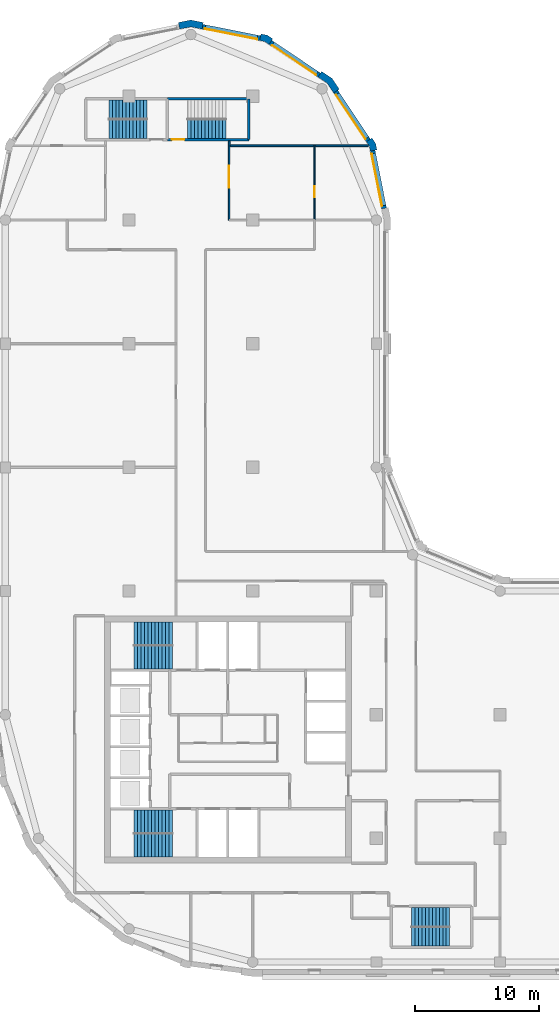
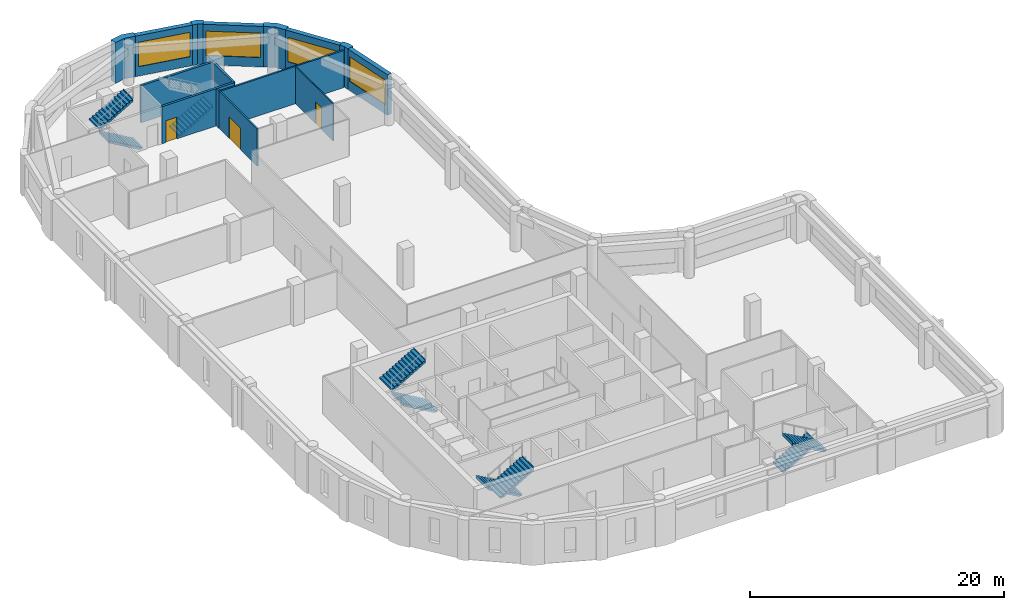
# One storey, part 6 of 9: 15 walls, 9 stair flights, 4 windows, 3 doors, 7 openings, 5 elements without a shape of their own.
"""IFC4 building model written with IfcOpenShell, lengths in metres."""

from ifc_helpers import new_model, si_unit, direction, frame, frame_2d, origin, place, context, subcontext, project, spatial, polyline, rectangle, outline, extrude, material, layer, layer_set, type_object, element, fill, aggregate, save


model = new_model("IFC4")

# Units and contexts
model_context = context("Model", 3, precision=1e-05, world=origin(), true_north=direction((0.0, 1.0)))
body_context = subcontext(model_context, "Body", "Model", "MODEL_VIEW")
ifc_project = project(units=[si_unit("LENGTHUNIT", "METRE"), si_unit("AREAUNIT", "SQUARE_METRE"), si_unit("VOLUMEUNIT", "CUBIC_METRE"), si_unit("PLANEANGLEUNIT", "RADIAN"), si_unit("MASSUNIT", "GRAM", prefix="KILO")], contexts=[model_context])

# Site, building, storey
site_placement = place(None, origin())
site = spatial("IfcSite", under=ifc_project, at=site_placement, CompositionType="ELEMENT")
building_placement = place(site_placement, origin())
building = spatial("IfcBuilding", under=site, at=building_placement, Name="Qaws Garden Tower", CompositionType="ELEMENT")
storey_placement = place(building_placement, frame((0.0, 0.0, 251.39990234375)))
storey = spatial("IfcBuildingStorey", under=building, at=storey_placement, Name="L60", CompositionType="ELEMENT", Elevation=251.39990234375)

# Wall, opening, window
ifc_material_1 = material(Name="Clay facing brick masonry", Category="masonry")
ifc_layer_1 = layer(ifc_material_1, 0.39990234375)
ifc_layer_set_1 = layer_set([ifc_layer_1], Name="Clay facing brick masonry")
wall_type_1 = type_object("IfcWallType", Name="Brick infill wall 400", PredefinedType="SOLIDWALL", material=ifc_layer_set_1)
wall_1_placement = place(storey_placement, frame((30.628662109375, 60.940673828125, 0.0), z_axis=(0.0, 0.0, 1.0), x_axis=(-0.195098533057, 0.98078364709, 0.0)))
wall_1 = element("IfcWall", 1, at=wall_1_placement, inside=storey, type_object=wall_type_1, Name="E-L60-infill-11", PredefinedType="SOLIDWALL", context=body_context, shape_type="SweptSolid", body=[
    extrude(rectangle(XDim=4.752685546875, YDim=0.39990234375, at=frame_2d((2.37646484375, 0.0))), origin(), (0.0, 0.0, 1.0), 3.900146484375),
])
opening_1_placement = place(wall_1_placement, frame((0.226318359375, 0.0, 0.89990234375)))
opening_1 = element("IfcOpeningElement", 2, at=opening_1_placement, cuts=wall_1, Name="Opening W06", PredefinedType="OPENING", context=body_context, shape_type="SweptSolid", body=[
    extrude(rectangle(XDim=4.300048828125, YDim=2.35009765625, at=frame_2d((2.14990234375, 1.175048828125))), frame((0.0, 0.2099609375, 0.0), z_axis=(0.0, -1.0, 0.0), x_axis=(1.0, 0.0, 0.0)), (0.0, 0.0, 1.0), 0.419921875),
])
ifc_material_2 = material(Name="Aluminium framed window, clear glazing", Category="aluminium")
window_type = type_object("IfcWindowType", Name="Ribbon window 4300 x 2350", PartitioningType="DOUBLE_PANEL_VERTICAL", PredefinedType="WINDOW", material=ifc_material_2)
window_1_placement = place(opening_1_placement, origin())
window_1 = element("IfcWindow", 3, at=window_1_placement, inside=storey, type_object=window_type, Name="E-L60-window-11-0", OverallHeight=2.35009765625, OverallWidth=4.300048828125, PartitioningType="SINGLE_PANEL", PredefinedType="WINDOW", context=body_context, shape_type="SweptSolid", body=[
    extrude(rectangle(XDim=4.300048828125, YDim=2.35009765625, at=frame_2d((2.14990234375, 1.175048828125))), frame((0.0, 0.159912109375, 0.0), z_axis=(0.0, -1.0, 0.0), x_axis=(1.0, 0.0, 0.0)), (0.0, 0.0, 1.0), 0.06005859375),
])
fill(opening_1, window_1)

wall_2_placement = place(storey_placement, frame((29.356689453125, 66.43408203125, 0.0), z_axis=(0.0, 0.0, 1.0), x_axis=(-0.555541552266, 0.831488775454, 0.0)))
wall_2 = element("IfcWall", 4, at=wall_2_placement, inside=storey, type_object=wall_type_1, Name="E-L60-infill-12", PredefinedType="SOLIDWALL", context=body_context, shape_type="SweptSolid", body=[
    extrude(rectangle(XDim=4.752685546875, YDim=0.39990234375, at=frame_2d((2.37646484375, 0.0))), origin(), (0.0, 0.0, 1.0), 3.900146484375),
])
opening_2_placement = place(wall_2_placement, frame((0.226318359375, 0.0, 0.89990234375)))
opening_2 = element("IfcOpeningElement", 5, at=opening_2_placement, cuts=wall_2, Name="Opening W06", PredefinedType="OPENING", context=body_context, shape_type="SweptSolid", body=[
    extrude(rectangle(XDim=4.300048828125, YDim=2.35009765625, at=frame_2d((2.14990234375, 1.175048828125))), frame((0.0, 0.2099609375, 0.0), z_axis=(0.0, -1.0, 0.0), x_axis=(1.0, 0.0, 0.0)), (0.0, 0.0, 1.0), 0.419921875),
])
window_2_placement = place(opening_2_placement, origin())
window_2 = element("IfcWindow", 6, at=window_2_placement, inside=storey, type_object=window_type, Name="E-L60-window-12-0", OverallHeight=2.35009765625, OverallWidth=4.300048828125, PartitioningType="SINGLE_PANEL", PredefinedType="WINDOW", context=body_context, shape_type="SweptSolid", body=[
    extrude(rectangle(XDim=4.300048828125, YDim=2.35009765625, at=frame_2d((2.14990234375, 1.175048828125))), frame((0.0, 0.159912109375, 0.0), z_axis=(0.0, -1.0, 0.0), x_axis=(1.0, 0.0, 0.0)), (0.0, 0.0, 1.0), 0.06005859375),
])
fill(opening_2, window_2)

wall_3_placement = place(storey_placement, frame((25.385986328125, 71.71630859375, 0.0), z_axis=(0.0, 0.0, 1.0), x_axis=(-0.831488775454, 0.555541552266, 0.0)))
wall_3 = element("IfcWall", 7, at=wall_3_placement, inside=storey, type_object=wall_type_1, Name="E-L60-infill-13", PredefinedType="SOLIDWALL", context=body_context, shape_type="SweptSolid", body=[
    extrude(rectangle(XDim=4.752685546875, YDim=0.39990234375, at=frame_2d((2.37646484375, 0.0))), origin(), (0.0, 0.0, 1.0), 3.900146484375),
])
opening_3_placement = place(wall_3_placement, frame((0.226318359375, 0.0, 0.89990234375)))
opening_3 = element("IfcOpeningElement", 8, at=opening_3_placement, cuts=wall_3, Name="Opening W06", PredefinedType="OPENING", context=body_context, shape_type="SweptSolid", body=[
    extrude(rectangle(XDim=4.300048828125, YDim=2.35009765625, at=frame_2d((2.14990234375, 1.175048828125))), frame((0.0, 0.2099609375, 0.0), z_axis=(0.0, -1.0, 0.0), x_axis=(1.0, 0.0, 0.0)), (0.0, 0.0, 1.0), 0.419921875),
])
window_3_placement = place(opening_3_placement, origin())
window_3 = element("IfcWindow", 9, at=window_3_placement, inside=storey, type_object=window_type, Name="E-L60-window-13-0", OverallHeight=2.35009765625, OverallWidth=4.300048828125, PartitioningType="SINGLE_PANEL", PredefinedType="WINDOW", context=body_context, shape_type="SweptSolid", body=[
    extrude(rectangle(XDim=4.300048828125, YDim=2.35009765625, at=frame_2d((2.14990234375, 1.175048828125))), frame((0.0, 0.159912109375, 0.0), z_axis=(0.0, -1.0, 0.0), x_axis=(1.0, 0.0, 0.0)), (0.0, 0.0, 1.0), 0.06005859375),
])
fill(opening_3, window_3)

wall_4_placement = place(storey_placement, frame((20.60205078125, 74.701416015625, 0.0), z_axis=(0.0, 0.0, 1.0), x_axis=(-0.98078364709, 0.195098533057, 0.0)))
wall_4 = element("IfcWall", 10, at=wall_4_placement, inside=storey, type_object=wall_type_1, Name="E-L60-infill-14", PredefinedType="SOLIDWALL", context=body_context, shape_type="SweptSolid", body=[
    extrude(rectangle(XDim=4.752685546875, YDim=0.39990234375, at=frame_2d((2.37646484375, 0.0))), origin(), (0.0, 0.0, 1.0), 3.900146484375),
])
opening_4_placement = place(wall_4_placement, frame((0.226318359375, 0.0, 0.89990234375)))
opening_4 = element("IfcOpeningElement", 11, at=opening_4_placement, cuts=wall_4, Name="Opening W06", PredefinedType="OPENING", context=body_context, shape_type="SweptSolid", body=[
    extrude(rectangle(XDim=4.300048828125, YDim=2.35009765625, at=frame_2d((2.14990234375, 1.175048828125))), frame((0.0, 0.2099609375, 0.0), z_axis=(0.0, -1.0, 0.0), x_axis=(1.0, 0.0, 0.0)), (0.0, 0.0, 1.0), 0.419921875),
])
window_4_placement = place(opening_4_placement, origin())
window_4 = element("IfcWindow", 12, at=window_4_placement, inside=storey, type_object=window_type, Name="E-L60-window-14-0", OverallHeight=2.35009765625, OverallWidth=4.300048828125, PartitioningType="SINGLE_PANEL", PredefinedType="WINDOW", context=body_context, shape_type="SweptSolid", body=[
    extrude(rectangle(XDim=4.300048828125, YDim=2.35009765625, at=frame_2d((2.14990234375, 1.175048828125))), frame((0.0, 0.159912109375, 0.0), z_axis=(0.0, -1.0, 0.0), x_axis=(1.0, 0.0, 0.0)), (0.0, 0.0, 1.0), 0.06005859375),
])
fill(opening_4, window_4)

# Walls
ifc_material_3 = material(Name="Clay facing brick masonry", Category="masonry")
ifc_layer_2 = layer(ifc_material_3, 0.550048828125)
ifc_layer_set_2 = layer_set([ifc_layer_2], Name="Clay facing brick masonry")
wall_type_2 = type_object("IfcWallType", Name="Brick kink pier 550 x 600", PredefinedType="SOLIDWALL", material=ifc_layer_set_2)
placement = place(storey_placement, origin())
element("IfcWall", 13, at=placement, inside=storey, type_object=wall_type_2, Name="E-L60-pier-12", PredefinedType="SOLIDWALL", context=body_context, shape_type="SweptSolid", body=[
    extrude(outline(polyline([(29.8974609375, 65.64111328125), (30.044677734375, 65.67041015625), (29.94140625, 66.18896484375), (29.647705078125, 66.628662109375), (29.52294921875, 66.545166015625), (29.1904296875, 66.322998046875), (29.42333984375, 65.974365234375), (29.505126953125, 65.56298828125), (29.8974609375, 65.64111328125)])), origin(), (0.0, 0.0, 1.0), 3.900146484375),
])
element("IfcWall", 14, at=placement, inside=storey, type_object=wall_type_2, Name="E-L60-pier-14", PredefinedType="SOLIDWALL", context=body_context, shape_type="SweptSolid", body=[
    extrude(outline(polyline([(21.545166015625, 74.52294921875), (21.628662109375, 74.647705078125), (21.18896484375, 74.94140625), (20.67041015625, 75.044677734375), (20.64111328125, 74.8974609375), (20.56298828125, 74.505126953125), (20.974365234375, 74.42333984375), (21.322998046875, 74.1904296875), (21.545166015625, 74.52294921875)])), origin(), (0.0, 0.0, 1.0), 3.900146484375),
])
ifc_material_4 = material(Name="Clay facing brick masonry", Category="masonry")
ifc_layer_3 = layer(ifc_material_4, 0.550048828125)
ifc_layer_set_3 = layer_set([ifc_layer_3], Name="Clay facing brick masonry")
wall_type_3 = type_object("IfcWallType", Name="Brick pier 550 x 1600", PredefinedType="SOLIDWALL", material=ifc_layer_set_3)
element("IfcWall", 15, at=placement, inside=storey, type_object=wall_type_3, Name="E-L60-pier-13", PredefinedType="SOLIDWALL", context=body_context, shape_type="SweptSolid", body=[
    extrude(outline(polyline([(26.882568359375, 70.4970703125), (27.00732421875, 70.580322265625), (26.435791015625, 71.435791015625), (25.580322265625, 72.00732421875), (25.4970703125, 71.882568359375), (25.274658203125, 71.550048828125), (26.0390625, 71.0390625), (26.550048828125, 70.274658203125), (26.882568359375, 70.4970703125)])), origin(), (0.0, 0.0, 1.0), 3.900146484375),
])
element("IfcWall", 16, at=placement, inside=storey, type_object=wall_type_3, Name="E-L60-pier-15", PredefinedType="SOLIDWALL", context=body_context, shape_type="SweptSolid", body=[
    extrude(outline(polyline([(15.979736328125, 75.82470703125), (16.009033203125, 75.971923828125), (15.0, 76.172607421875), (13.990966796875, 75.971923828125), (14.020263671875, 75.82470703125), (14.098388671875, 75.432373046875), (15.0, 75.61181640625), (15.901611328125, 75.432373046875), (15.979736328125, 75.82470703125)])), origin(), (0.0, 0.0, 1.0), 3.900146484375),
])

# Wall, opening, door
ifc_material_5 = material(Name="Concrete C60", Category="concrete")
ifc_layer_4 = layer(ifc_material_5, 0.199951171875)
ifc_layer_set_4 = layer_set([ifc_layer_4], Name="Concrete C60")
wall_type_4 = type_object("IfcWallType", Name="Core shaft wall 200 C60", PredefinedType="SHEAR", material=ifc_layer_set_4)
wall_9_placement = place(storey_placement, frame((13.10009765625, 66.5, 0.0), z_axis=(0.0, 0.0, 1.0), x_axis=(1.0, 0.0, 0.0)))
wall_9 = element("IfcWall", 17, at=wall_9_placement, inside=storey, type_object=wall_type_4, Name="Shaft wall", PredefinedType="SHEAR", context=body_context, shape_type="SweptSolid", body=[
    extrude(rectangle(XDim=6.599853515625, YDim=0.199951171875, at=frame_2d((3.2998046875, 0.0))), origin(), (0.0, 0.0, 1.0), 3.580078125),
])
opening_5_placement = place(wall_9_placement, frame((0.375, 0.0, 0.0)))
opening_5 = element("IfcOpeningElement", 18, at=opening_5_placement, cuts=wall_9, Name="Opening SD14", PredefinedType="OPENING", context=body_context, shape_type="SweptSolid", body=[
    extrude(rectangle(XDim=1.0, YDim=2.10009765625, at=frame_2d((0.5, 1.050048828125))), frame((0.0, 0.10986328125, 0.0), z_axis=(0.0, -1.0, 0.0), x_axis=(1.0, 0.0, 0.0)), (0.0, 0.0, 1.0), 0.219970703125),
])
ifc_material_6 = material(Name="Steel S235", Category="steel")
door_type_1 = type_object("IfcDoorType", Name="Stair door 1000x2100", OperationType="SINGLE_SWING_RIGHT", PredefinedType="DOOR", material=ifc_material_6)
door_1_placement = place(opening_5_placement, origin())
door_1 = element("IfcDoor", 19, at=door_1_placement, inside=storey, type_object=door_type_1, Name="Stair 7 door", OperationType="SINGLE_SWING_LEFT", OverallHeight=2.10009765625, OverallWidth=1.0, PredefinedType="DOOR", context=body_context, shape_type="SweptSolid", body=[
    extrude(rectangle(XDim=1.0, YDim=2.10009765625, at=frame_2d((0.5, 1.050048828125))), frame((0.0, 0.02490234375, 0.0), z_axis=(0.0, -1.0, 0.0), x_axis=(1.0, 0.0, 0.0)), (0.0, 0.0, 1.0), 0.050048828125),
])
fill(opening_5, door_1)

# Walls
wall_10_placement = place(storey_placement, frame((13.10009765625, 69.800048828125, 0.0), z_axis=(0.0, 0.0, 1.0), x_axis=(1.0, 0.0, 0.0)))
element("IfcWall", 20, at=wall_10_placement, inside=storey, type_object=wall_type_4, Name="Shaft wall", PredefinedType="SHEAR", context=body_context, shape_type="SweptSolid", body=[
    extrude(rectangle(XDim=6.599853515625, YDim=0.199951171875, at=frame_2d((3.2998046875, 0.0))), origin(), (0.0, 0.0, 1.0), 3.580078125),
])
wall_11_placement = place(storey_placement, frame((19.699951171875, 66.5, 0.0), z_axis=(0.0, 0.0, 1.0), x_axis=(0.0, 1.0, 0.0)))
element("IfcWall", 21, at=wall_11_placement, inside=storey, type_object=wall_type_4, Name="Shaft wall", PredefinedType="SHEAR", context=body_context, shape_type="SweptSolid", body=[
    extrude(rectangle(XDim=3.300048828125, YDim=0.199951171875, at=frame_2d((1.64990234375, 0.0))), origin(), (0.0, 0.0, 1.0), 3.580078125),
])

# Wall, opening, door
ifc_material_7 = material(Name="Glass and aluminium framing", Category="aluminium")
ifc_layer_5 = layer(ifc_material_7, 0.1201171875)
ifc_layer_set_5 = layer_set([ifc_layer_5], Name="Glass and aluminium framing")
wall_type_5 = type_object("IfcWallType", Name="GLAZED PARTITION 120 EI 30", PredefinedType="PARTITIONING", material=ifc_layer_set_5)
wall_12_placement = place(storey_placement, frame((18.10009765625, 60.0, 0.0), z_axis=(0.0, 0.0, 1.0), x_axis=(0.0, 1.0, 0.0)))
wall_12 = element("IfcWall", 22, at=wall_12_placement, inside=storey, type_object=wall_type_5, Name="O-L60-wall-037", PredefinedType="PARTITIONING", context=body_context, shape_type="SweptSolid", body=[
    extrude(rectangle(XDim=6.0, YDim=0.1201171875, at=frame_2d((3.0, 0.0))), origin(), (0.0, 0.0, 1.0), 3.580078125),
])
opening_6_placement = place(wall_12_placement, frame((2.60009765625, 0.0, 0.0)))
opening_6 = element("IfcOpeningElement", 23, at=opening_6_placement, cuts=wall_12, Name="Opening C106", PredefinedType="OPENING", context=body_context, shape_type="SweptSolid", body=[
    extrude(rectangle(XDim=1.800048828125, YDim=2.10009765625, at=frame_2d((0.89990234375, 1.050048828125))), frame((0.0, 0.070068359375, 0.0), z_axis=(0.0, -1.0, 0.0), x_axis=(1.0, 0.0, 0.0)), (0.0, 0.0, 1.0), 0.14013671875),
])
ifc_material_8 = material(Name="Timber door leaf", Category="wood")
door_type_2 = type_object("IfcDoorType", Name="DOUBLE DOOR 1800 X 2100", OperationType="DOUBLE_DOOR_SINGLE_SWING", PredefinedType="DOOR", material=ifc_material_8)
door_2_placement = place(opening_6_placement, frame((1.800048828125, 0.0, 0.0), z_axis=(0.0, 0.0, 1.0), x_axis=(-1.0, 0.0, 0.0)))
door_2 = element("IfcDoor", 24, at=door_2_placement, inside=storey, type_object=door_type_2, Name="O-L60-door-006", OperationType="DOUBLE_DOOR_SINGLE_SWING", OverallHeight=2.10009765625, OverallWidth=1.800048828125, PredefinedType="DOOR", context=body_context, shape_type="SweptSolid", body=[
    extrude(rectangle(XDim=1.800048828125, YDim=2.10009765625, at=frame_2d((0.89990234375, 1.050048828125))), frame((0.0, 0.02490234375, 0.0), z_axis=(0.0, -1.0, 0.0), x_axis=(1.0, 0.0, 0.0)), (0.0, 0.0, 1.0), 0.050048828125),
])
fill(opening_6, door_2)

ifc_material_9 = material(Name="Gypsum board partition")
ifc_layer_6 = layer(ifc_material_9, 0.10009765625)
ifc_layer_set_6 = layer_set([ifc_layer_6], Name="Gypsum board partition")
wall_type_6 = type_object("IfcWallType", Name="PARTITION 100", PredefinedType="PARTITIONING", material=ifc_layer_set_6)
wall_13_placement = place(storey_placement, frame((25.0, 60.0, 0.0), z_axis=(0.0, 0.0, 1.0), x_axis=(0.0, 1.0, 0.0)))
wall_13 = element("IfcWall", 25, at=wall_13_placement, inside=storey, type_object=wall_type_6, Name="O-L60-wall-001", PredefinedType="PARTITIONING", context=body_context, shape_type="SweptSolid", body=[
    extrude(rectangle(XDim=6.0, YDim=0.10009765625, at=frame_2d((3.0, 0.0))), origin(), (0.0, 0.0, 1.0), 3.580078125),
])
opening_7_placement = place(wall_13_placement, frame((1.85009765625, 0.0, 0.0)))
opening_7 = element("IfcOpeningElement", 26, at=opening_7_placement, cuts=wall_13, Name="Opening C116", PredefinedType="OPENING", context=body_context, shape_type="SweptSolid", body=[
    extrude(rectangle(XDim=0.89990234375, YDim=2.10009765625, at=frame_2d((0.449951171875, 1.050048828125))), frame((0.0, 0.06005859375, 0.0), z_axis=(0.0, -1.0, 0.0), x_axis=(1.0, 0.0, 0.0)), (0.0, 0.0, 1.0), 0.1201171875),
])
ifc_material_10 = material(Name="Timber door leaf", Category="wood")
door_type_3 = type_object("IfcDoorType", Name="OFFICE DOOR 900 X 2100", OperationType="SINGLE_SWING_LEFT", PredefinedType="DOOR", material=ifc_material_10)
door_3_placement = place(opening_7_placement, frame((0.89990234375, 0.0, 0.0), z_axis=(0.0, 0.0, 1.0), x_axis=(-1.0, 0.0, 0.0)))
door_3 = element("IfcDoor", 27, at=door_3_placement, inside=storey, type_object=door_type_3, Name="O-L60-door-016", OperationType="SINGLE_SWING_RIGHT", OverallHeight=2.10009765625, OverallWidth=0.89990234375, PredefinedType="DOOR", context=body_context, shape_type="SweptSolid", body=[
    extrude(rectangle(XDim=0.89990234375, YDim=2.10009765625, at=frame_2d((0.449951171875, 1.050048828125))), frame((0.0, 0.02490234375, 0.0), z_axis=(0.0, -1.0, 0.0), x_axis=(1.0, 0.0, 0.0)), (0.0, 0.0, 1.0), 0.050048828125),
])
fill(opening_7, door_3)

# Walls
ifc_material_11 = material(Name="Gypsum board partition")
ifc_layer_7 = layer(ifc_material_11, 0.14990234375)
ifc_layer_set_7 = layer_set([ifc_layer_7], Name="Gypsum board partition")
wall_type_7 = type_object("IfcWallType", Name="PARTITION 150 EI 60", PredefinedType="PARTITIONING", material=ifc_layer_set_7)
wall_14_placement = place(storey_placement, frame((18.10009765625, 66.0, 0.0), z_axis=(0.0, 0.0, 1.0), x_axis=(0.0, 1.0, 0.0)))
element("IfcWall", 28, at=wall_14_placement, inside=storey, type_object=wall_type_7, Name="O-L60-wall-008", PredefinedType="PARTITIONING", context=body_context, shape_type="SweptSolid", body=[
    extrude(rectangle(XDim=0.39990234375, YDim=0.14990234375, at=frame_2d((0.199951171875, 0.0))), origin(), (0.0, 0.0, 1.0), 3.580078125),
])
wall_15_placement = place(storey_placement, frame((18.10009765625, 66.0, 0.0), z_axis=(0.0, 0.0, 1.0), x_axis=(1.0, 0.0, 0.0)))
element("IfcWall", 29, at=wall_15_placement, inside=storey, type_object=wall_type_7, Name="O-L60-wall-035", PredefinedType="PARTITIONING", context=body_context, shape_type="SweptSolid", body=[
    extrude(rectangle(XDim=11.256103515625, YDim=0.14990234375, at=frame_2d((5.6279296875, 0.0))), origin(), (0.0, 0.0, 1.0), 3.580078125),
])

# Stair, stair flights
ifc_material_12 = material(Name="Concrete C40", Category="concrete")
stair_type_1 = type_object("IfcStairType", Name="Exit stair 1350", PredefinedType="HALF_TURN_STAIR", material=ifc_material_12)
stair_1 = element("IfcStair", 30, at=placement, inside=storey, type_object=stair_type_1, Name="Stair 5", PredefinedType="HALF_TURN_STAIR")
ifc_material_13 = material(Name="Concrete C40", Category="concrete")
stair_flight_type_1 = type_object("IfcStairFlightType", Name="Stair flight 1350", PredefinedType="STRAIGHT", material=ifc_material_13)
stair_flight_1_placement = place(storey_placement, frame((32.85009765625, 3.625, 0.0), z_axis=(0.0, 0.0, 1.0), x_axis=(1.0, 0.0, 0.0)))
stair_flight_1 = element("IfcStairFlight", 31, at=stair_flight_1_placement, type_object=stair_flight_type_1, Name="ST5 flight 1", NumberOfRisers=12, NumberOfTreads=11, PredefinedType="STRAIGHT", RiserHeight=0.1625, TreadLength=0.28, context=body_context, shape_type="SweptSolid", body=[
    extrude(outline(polyline([(-0.0029296875, 0.0), (-0.0029296875, 0.16259765625), (0.0, 0.16259765625), (0.280029296875, 0.16259765625), (0.280029296875, 0.324951171875), (0.56005859375, 0.324951171875), (0.56005859375, 0.487548828125), (0.840087890625, 0.487548828125), (0.840087890625, 0.64990234375), (1.1201171875, 0.64990234375), (1.1201171875, 0.8125), (1.39990234375, 0.8125), (1.39990234375, 0.97509765625), (1.679931640625, 0.97509765625), (1.679931640625, 1.137451171875), (1.9599609375, 1.137451171875), (1.9599609375, 1.300048828125), (2.239990234375, 1.300048828125), (2.239990234375, 1.46240234375), (2.52001953125, 1.46240234375), (2.52001953125, 1.625), (2.800048828125, 1.625), (2.800048828125, 1.78759765625), (3.080078125, 1.78759765625), (3.080078125, 1.949951171875), (3.0830078125, 1.949951171875), (3.0830078125, 1.6142578125), (3.080078125, 1.6142578125), (0.298583984375, 0.0), (-0.0029296875, 0.0)])), frame((0.0, 0.77490234375, 0.0), z_axis=(0.0, -1.0, 0.0), x_axis=(1.0, 0.0, 0.0)), (0.0, 0.0, 1.0), 1.550048828125),
])
stair_flight_2_placement = place(storey_placement, frame((35.929931640625, 2.074951171875, 1.9501953125), z_axis=(0.0, 0.0, 1.0), x_axis=(-1.0, 0.0, 0.0)))
stair_flight_2 = element("IfcStairFlight", 32, at=stair_flight_2_placement, type_object=stair_flight_type_1, Name="ST5 flight 2", NumberOfRisers=12, NumberOfTreads=11, PredefinedType="STRAIGHT", RiserHeight=0.1625, TreadLength=0.28, context=body_context, shape_type="SweptSolid", body=[
    extrude(outline(polyline([(-0.0029296875, 0.0), (-0.0029296875, 0.16259765625), (0.0, 0.16259765625), (0.280029296875, 0.16259765625), (0.280029296875, 0.324951171875), (0.56005859375, 0.324951171875), (0.56005859375, 0.487548828125), (0.840087890625, 0.487548828125), (0.840087890625, 0.64990234375), (1.1201171875, 0.64990234375), (1.1201171875, 0.8125), (1.39990234375, 0.8125), (1.39990234375, 0.97509765625), (1.679931640625, 0.97509765625), (1.679931640625, 1.137451171875), (1.9599609375, 1.137451171875), (1.9599609375, 1.300048828125), (2.239990234375, 1.300048828125), (2.239990234375, 1.46240234375), (2.52001953125, 1.46240234375), (2.52001953125, 1.625), (2.800048828125, 1.625), (2.800048828125, 1.78759765625), (3.080078125, 1.78759765625), (3.080078125, 1.949951171875), (3.0830078125, 1.949951171875), (3.0830078125, 1.6142578125), (3.080078125, 1.6142578125), (0.298583984375, 0.0), (-0.0029296875, 0.0)])), frame((0.0, 0.77490234375, 0.0), z_axis=(0.0, -1.0, 0.0), x_axis=(1.0, 0.0, 0.0)), (0.0, 0.0, 1.0), 1.550048828125),
])
aggregate(stair_1, [stair_flight_1, stair_flight_2])

stair_2 = element("IfcStair", 33, at=placement, inside=storey, type_object=stair_type_1, Name="Stair 6", PredefinedType="HALF_TURN_STAIR")
stair_flight_3_placement = place(storey_placement, frame((11.449951171875, 67.375, 0.0), z_axis=(0.0, 0.0, 1.0), x_axis=(-1.0, 0.0, 0.0)))
stair_flight_3 = element("IfcStairFlight", 34, at=stair_flight_3_placement, type_object=stair_flight_type_1, Name="ST6 flight 1", NumberOfRisers=12, NumberOfTreads=11, PredefinedType="STRAIGHT", RiserHeight=0.1625, TreadLength=0.28, context=body_context, shape_type="SweptSolid", body=[
    extrude(outline(polyline([(-0.0029296875, 0.0), (-0.0029296875, 0.16259765625), (0.0, 0.16259765625), (0.280029296875, 0.16259765625), (0.280029296875, 0.324951171875), (0.56005859375, 0.324951171875), (0.56005859375, 0.487548828125), (0.840087890625, 0.487548828125), (0.840087890625, 0.64990234375), (1.1201171875, 0.64990234375), (1.1201171875, 0.8125), (1.39990234375, 0.8125), (1.39990234375, 0.97509765625), (1.679931640625, 0.97509765625), (1.679931640625, 1.137451171875), (1.9599609375, 1.137451171875), (1.9599609375, 1.300048828125), (2.239990234375, 1.300048828125), (2.239990234375, 1.46240234375), (2.52001953125, 1.46240234375), (2.52001953125, 1.625), (2.800048828125, 1.625), (2.800048828125, 1.78759765625), (3.080078125, 1.78759765625), (3.080078125, 1.949951171875), (3.0830078125, 1.949951171875), (3.0830078125, 1.6142578125), (3.080078125, 1.6142578125), (0.298583984375, 0.0), (-0.0029296875, 0.0)])), frame((0.0, 0.77490234375, 0.0), z_axis=(0.0, -1.0, 0.0), x_axis=(1.0, 0.0, 0.0)), (0.0, 0.0, 1.0), 1.550048828125),
])
stair_flight_4_placement = place(storey_placement, frame((8.3701171875, 68.925048828125, 1.9501953125), z_axis=(0.0, 0.0, 1.0), x_axis=(1.0, 0.0, 0.0)))
stair_flight_4 = element("IfcStairFlight", 35, at=stair_flight_4_placement, type_object=stair_flight_type_1, Name="ST6 flight 2", NumberOfRisers=12, NumberOfTreads=11, PredefinedType="STRAIGHT", RiserHeight=0.1625, TreadLength=0.28, context=body_context, shape_type="SweptSolid", body=[
    extrude(outline(polyline([(-0.0029296875, 0.0), (-0.0029296875, 0.16259765625), (0.0, 0.16259765625), (0.280029296875, 0.16259765625), (0.280029296875, 0.324951171875), (0.56005859375, 0.324951171875), (0.56005859375, 0.487548828125), (0.840087890625, 0.487548828125), (0.840087890625, 0.64990234375), (1.1201171875, 0.64990234375), (1.1201171875, 0.8125), (1.39990234375, 0.8125), (1.39990234375, 0.97509765625), (1.679931640625, 0.97509765625), (1.679931640625, 1.137451171875), (1.9599609375, 1.137451171875), (1.9599609375, 1.300048828125), (2.239990234375, 1.300048828125), (2.239990234375, 1.46240234375), (2.52001953125, 1.46240234375), (2.52001953125, 1.625), (2.800048828125, 1.625), (2.800048828125, 1.78759765625), (3.080078125, 1.78759765625), (3.080078125, 1.949951171875), (3.0830078125, 1.949951171875), (3.0830078125, 1.6142578125), (3.080078125, 1.6142578125), (0.298583984375, 0.0), (-0.0029296875, 0.0)])), frame((0.0, 0.77490234375, 0.0), z_axis=(0.0, -1.0, 0.0), x_axis=(1.0, 0.0, 0.0)), (0.0, 0.0, 1.0), 1.550048828125),
])
aggregate(stair_2, [stair_flight_3, stair_flight_4])

# Stair, stair flight
stair_3 = element("IfcStair", 36, at=placement, inside=storey, type_object=stair_type_1, Name="Stair 7", PredefinedType="HALF_TURN_STAIR")
stair_flight_5_placement = place(storey_placement, frame((14.75, 67.375, 0.0), z_axis=(0.0, 0.0, 1.0), x_axis=(1.0, 0.0, 0.0)))
stair_flight_5 = element("IfcStairFlight", 37, at=stair_flight_5_placement, type_object=stair_flight_type_1, Name="ST7 flight 1", NumberOfRisers=12, NumberOfTreads=11, PredefinedType="STRAIGHT", RiserHeight=0.1625, TreadLength=0.28, context=body_context, shape_type="SweptSolid", body=[
    extrude(outline(polyline([(-0.0029296875, 0.0), (-0.0029296875, 0.16259765625), (0.0, 0.16259765625), (0.280029296875, 0.16259765625), (0.280029296875, 0.324951171875), (0.56005859375, 0.324951171875), (0.56005859375, 0.487548828125), (0.840087890625, 0.487548828125), (0.840087890625, 0.64990234375), (1.1201171875, 0.64990234375), (1.1201171875, 0.8125), (1.39990234375, 0.8125), (1.39990234375, 0.97509765625), (1.679931640625, 0.97509765625), (1.679931640625, 1.137451171875), (1.9599609375, 1.137451171875), (1.9599609375, 1.300048828125), (2.239990234375, 1.300048828125), (2.239990234375, 1.46240234375), (2.52001953125, 1.46240234375), (2.52001953125, 1.625), (2.800048828125, 1.625), (2.800048828125, 1.78759765625), (3.080078125, 1.78759765625), (3.080078125, 1.949951171875), (3.0830078125, 1.949951171875), (3.0830078125, 1.6142578125), (3.080078125, 1.6142578125), (0.298583984375, 0.0), (-0.0029296875, 0.0)])), frame((0.0, 0.77490234375, 0.0), z_axis=(0.0, -1.0, 0.0), x_axis=(1.0, 0.0, 0.0)), (0.0, 0.0, 1.0), 1.550048828125),
])
aggregate(stair_3, [stair_flight_5])

# Stair, stair flights
ifc_material_14 = material(Name="Concrete C40", Category="concrete")
stair_type_2 = type_object("IfcStairType", Name="Exit stair 1500", PredefinedType="HALF_TURN_STAIR", material=ifc_material_14)
stair_4 = element("IfcStair", 38, at=placement, inside=storey, type_object=stair_type_2, Name="Stair 1", PredefinedType="HALF_TURN_STAIR")
ifc_material_15 = material(Name="Concrete C40", Category="concrete")
stair_flight_type_2 = type_object("IfcStairFlightType", Name="Stair flight 1500", PredefinedType="STRAIGHT", material=ifc_material_15)
stair_flight_6_placement = place(storey_placement, frame((13.5, 11.35009765625, 0.0), z_axis=(0.0, 0.0, 1.0), x_axis=(-1.0, 0.0, 0.0)))
stair_flight_6 = element("IfcStairFlight", 39, at=stair_flight_6_placement, type_object=stair_flight_type_2, Name="ST1 flight 1", NumberOfRisers=12, NumberOfTreads=11, PredefinedType="STRAIGHT", RiserHeight=0.1625, TreadLength=0.28, context=body_context, shape_type="SweptSolid", body=[
    extrude(outline(polyline([(-0.0029296875, 0.0), (-0.0029296875, 0.16259765625), (0.0, 0.16259765625), (0.280029296875, 0.16259765625), (0.280029296875, 0.324951171875), (0.56005859375, 0.324951171875), (0.56005859375, 0.487548828125), (0.840087890625, 0.487548828125), (0.840087890625, 0.64990234375), (1.1201171875, 0.64990234375), (1.1201171875, 0.8125), (1.39990234375, 0.8125), (1.39990234375, 0.97509765625), (1.679931640625, 0.97509765625), (1.679931640625, 1.137451171875), (1.9599609375, 1.137451171875), (1.9599609375, 1.300048828125), (2.239990234375, 1.300048828125), (2.239990234375, 1.46240234375), (2.52001953125, 1.46240234375), (2.52001953125, 1.625), (2.800048828125, 1.625), (2.800048828125, 1.78759765625), (3.080078125, 1.78759765625), (3.080078125, 1.949951171875), (3.0830078125, 1.949951171875), (3.0830078125, 1.6142578125), (3.080078125, 1.6142578125), (0.298583984375, 0.0), (-0.0029296875, 0.0)])), frame((0.0, 0.949951171875, 0.0), z_axis=(0.0, -1.0, 0.0), x_axis=(1.0, 0.0, 0.0)), (0.0, 0.0, 1.0), 1.89990234375),
])
stair_flight_7_placement = place(storey_placement, frame((10.419921875, 9.449951171875, 1.9501953125), z_axis=(0.0, 0.0, 1.0), x_axis=(1.0, 0.0, 0.0)))
stair_flight_7 = element("IfcStairFlight", 40, at=stair_flight_7_placement, type_object=stair_flight_type_2, Name="ST1 flight 2", NumberOfRisers=12, NumberOfTreads=11, PredefinedType="STRAIGHT", RiserHeight=0.1625, TreadLength=0.28, context=body_context, shape_type="SweptSolid", body=[
    extrude(outline(polyline([(-0.0029296875, 0.0), (-0.0029296875, 0.16259765625), (0.0, 0.16259765625), (0.280029296875, 0.16259765625), (0.280029296875, 0.324951171875), (0.56005859375, 0.324951171875), (0.56005859375, 0.487548828125), (0.840087890625, 0.487548828125), (0.840087890625, 0.64990234375), (1.1201171875, 0.64990234375), (1.1201171875, 0.8125), (1.39990234375, 0.8125), (1.39990234375, 0.97509765625), (1.679931640625, 0.97509765625), (1.679931640625, 1.137451171875), (1.9599609375, 1.137451171875), (1.9599609375, 1.300048828125), (2.239990234375, 1.300048828125), (2.239990234375, 1.46240234375), (2.52001953125, 1.46240234375), (2.52001953125, 1.625), (2.800048828125, 1.625), (2.800048828125, 1.78759765625), (3.080078125, 1.78759765625), (3.080078125, 1.949951171875), (3.0830078125, 1.949951171875), (3.0830078125, 1.6142578125), (3.080078125, 1.6142578125), (0.298583984375, 0.0), (-0.0029296875, 0.0)])), frame((0.0, 0.949951171875, 0.0), z_axis=(0.0, -1.0, 0.0), x_axis=(1.0, 0.0, 0.0)), (0.0, 0.0, 1.0), 1.89990234375),
])
aggregate(stair_4, [stair_flight_6, stair_flight_7])

stair_5 = element("IfcStair", 41, at=placement, inside=storey, type_object=stair_type_2, Name="Stair 4", PredefinedType="HALF_TURN_STAIR")
stair_flight_8_placement = place(storey_placement, frame((13.5, 24.64990234375, 0.0), z_axis=(0.0, 0.0, 1.0), x_axis=(-1.0, 0.0, 0.0)))
stair_flight_8 = element("IfcStairFlight", 42, at=stair_flight_8_placement, type_object=stair_flight_type_2, Name="ST4 flight 1", NumberOfRisers=12, NumberOfTreads=11, PredefinedType="STRAIGHT", RiserHeight=0.1625, TreadLength=0.28, context=body_context, shape_type="SweptSolid", body=[
    extrude(outline(polyline([(-0.0029296875, 0.0), (-0.0029296875, 0.16259765625), (0.0, 0.16259765625), (0.280029296875, 0.16259765625), (0.280029296875, 0.324951171875), (0.56005859375, 0.324951171875), (0.56005859375, 0.487548828125), (0.840087890625, 0.487548828125), (0.840087890625, 0.64990234375), (1.1201171875, 0.64990234375), (1.1201171875, 0.8125), (1.39990234375, 0.8125), (1.39990234375, 0.97509765625), (1.679931640625, 0.97509765625), (1.679931640625, 1.137451171875), (1.9599609375, 1.137451171875), (1.9599609375, 1.300048828125), (2.239990234375, 1.300048828125), (2.239990234375, 1.46240234375), (2.52001953125, 1.46240234375), (2.52001953125, 1.625), (2.800048828125, 1.625), (2.800048828125, 1.78759765625), (3.080078125, 1.78759765625), (3.080078125, 1.949951171875), (3.0830078125, 1.949951171875), (3.0830078125, 1.6142578125), (3.080078125, 1.6142578125), (0.298583984375, 0.0), (-0.0029296875, 0.0)])), frame((0.0, 0.94482421875, 0.0), z_axis=(0.0, -1.0, 0.0), x_axis=(1.0, 0.0, 0.0)), (0.0, 0.0, 1.0), 1.889892578125),
])
stair_flight_9_placement = place(storey_placement, frame((10.419921875, 26.550048828125, 1.9501953125), z_axis=(0.0, 0.0, 1.0), x_axis=(1.0, 0.0, 0.0)))
stair_flight_9 = element("IfcStairFlight", 43, at=stair_flight_9_placement, type_object=stair_flight_type_2, Name="ST4 flight 2", NumberOfRisers=12, NumberOfTreads=11, PredefinedType="STRAIGHT", RiserHeight=0.1625, TreadLength=0.28, context=body_context, shape_type="SweptSolid", body=[
    extrude(outline(polyline([(-0.0029296875, 0.0), (-0.0029296875, 0.16259765625), (0.0, 0.16259765625), (0.280029296875, 0.16259765625), (0.280029296875, 0.324951171875), (0.56005859375, 0.324951171875), (0.56005859375, 0.487548828125), (0.840087890625, 0.487548828125), (0.840087890625, 0.64990234375), (1.1201171875, 0.64990234375), (1.1201171875, 0.8125), (1.39990234375, 0.8125), (1.39990234375, 0.97509765625), (1.679931640625, 0.97509765625), (1.679931640625, 1.137451171875), (1.9599609375, 1.137451171875), (1.9599609375, 1.300048828125), (2.239990234375, 1.300048828125), (2.239990234375, 1.46240234375), (2.52001953125, 1.46240234375), (2.52001953125, 1.625), (2.800048828125, 1.625), (2.800048828125, 1.78759765625), (3.080078125, 1.78759765625), (3.080078125, 1.949951171875), (3.0830078125, 1.949951171875), (3.0830078125, 1.6142578125), (3.080078125, 1.6142578125), (0.298583984375, 0.0), (-0.0029296875, 0.0)])), frame((0.0, 0.94482421875, 0.0), z_axis=(0.0, -1.0, 0.0), x_axis=(1.0, 0.0, 0.0)), (0.0, 0.0, 1.0), 1.889892578125),
])
aggregate(stair_5, [stair_flight_8, stair_flight_9])

save(model, "model.ifc")
